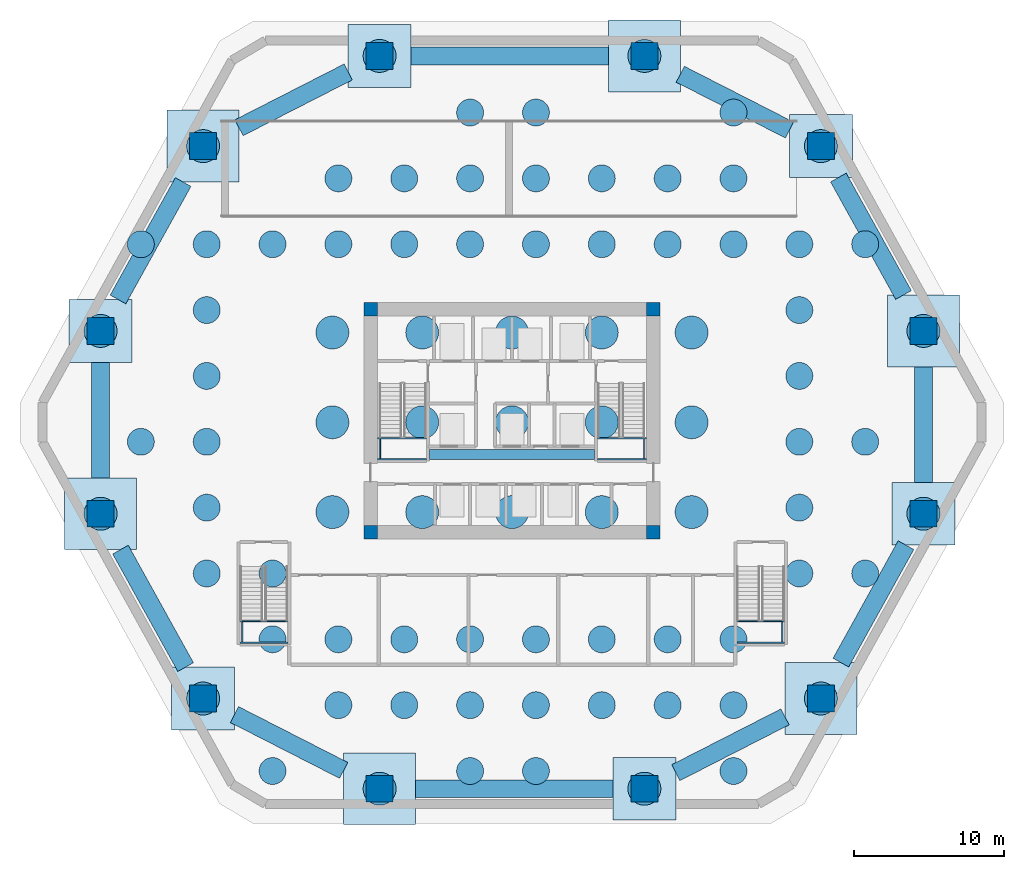
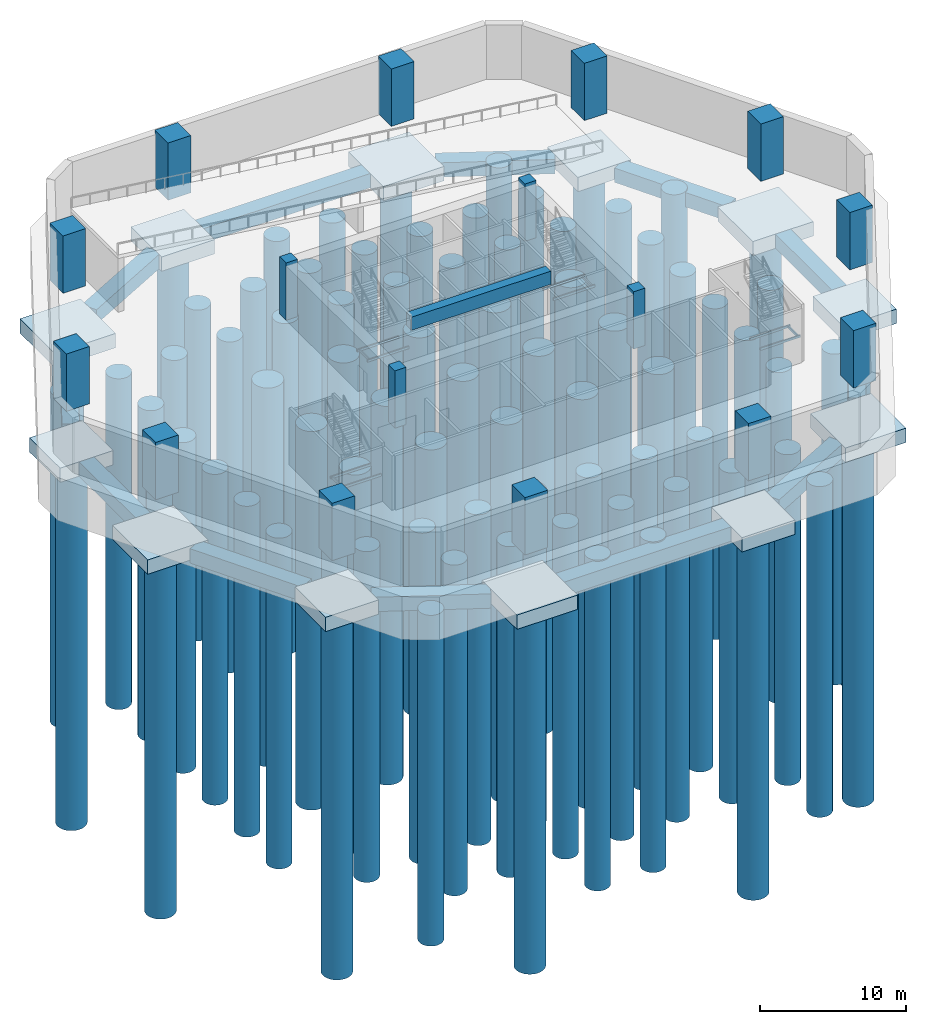
# One storey, part 1 of 9: 82 piles, 24 footings, 16 columns, 13 beams.
"""IFC4 building model written with IfcOpenShell, lengths in metres."""

from ifc_helpers import new_model, si_unit, direction, frame, origin, origin_2d, place, context, subcontext, project, spatial, rectangle, hollow_rectangle, circle, extrude, material, material_profile, profile_set, type_object, element, save


model = new_model("IFC4")

# Units and contexts
model_context = context("Model", 3, precision=1e-05, world=origin(), true_north=direction((0.0, 1.0)))
body_context = subcontext(model_context, "Body", "Model", "MODEL_VIEW")
ifc_project = project(units=[si_unit("LENGTHUNIT", "METRE"), si_unit("AREAUNIT", "SQUARE_METRE"), si_unit("VOLUMEUNIT", "CUBIC_METRE"), si_unit("PLANEANGLEUNIT", "RADIAN"), si_unit("MASSUNIT", "GRAM", prefix="KILO")], contexts=[model_context])

# Site, building, storey
site_placement = place(None, origin())
site = spatial("IfcSite", under=ifc_project, at=site_placement, CompositionType="ELEMENT")
building_placement = place(site_placement, origin())
building = spatial("IfcBuilding", under=site, at=building_placement, Name="Cinnabar Lancet Tower", CompositionType="ELEMENT")
storey_placement = place(building_placement, frame((0.0, 0.0, -4.800048828125)))
storey = spatial("IfcBuildingStorey", under=building, at=storey_placement, Name="B1", CompositionType="ELEMENT", Elevation=-4.800048828125)

# Footings
ifc_material_1 = material(Name="Concrete C60/75", Category="concrete")
ifc_material_profile_1 = material_profile(ifc_material_1, rectangle(XDim=1.199951171875, YDim=1.199951171875, at=origin_2d()), Name="RC-FB 1200x1200")
ifc_profile_set_1 = profile_set([ifc_material_profile_1], Name="Concrete C60/75")
footing_type_1 = type_object("IfcFootingType", Name="STR-FTG-FB-1200", PredefinedType="FOOTING_BEAM", material=ifc_profile_set_1)
footing_1_placement = place(storey_placement, frame((25.955078125, 1.31689453125, -4.199951171875), z_axis=(1.0, 0.0, 0.0), x_axis=(0.0, 1.0, 0.0)))
element("IfcFooting", 1, at=footing_1_placement, inside=storey, type_object=footing_type_1, Name="Perimeter Foundation Tie Beam 1", PredefinedType="FOOTING_BEAM", context=body_context, shape_type="SweptSolid", body=[
    extrude(rectangle(XDim=1.199951171875, YDim=1.199951171875, at=origin_2d()), origin(), (0.0, 0.0, 1.0), 13.18994140625),
])
footing_2_placement = place(storey_placement, frame((43.344970703125, 2.389892578125, -4.199951171875), z_axis=(0.890539020209, 0.454906862429, 0.0), x_axis=(-0.454906862429, 0.890539020209, 0.0)))
element("IfcFooting", 2, at=footing_2_placement, inside=storey, type_object=footing_type_1, Name="Perimeter Foundation Tie Beam 2", PredefinedType="FOOTING_BEAM", context=body_context, shape_type="SweptSolid", body=[
    extrude(rectangle(XDim=1.199951171875, YDim=1.199951171875, at=origin_2d()), origin(), (0.0, 0.0, 1.0), 8.195068359375),
])
footing_3_placement = place(storey_placement, frame((54.3740234375, 9.743896484375, -4.199951171875), z_axis=(0.484959060667, 0.87453685427, 0.0), x_axis=(-0.87453685427, 0.484959060667, 0.0)))
element("IfcFooting", 3, at=footing_3_placement, inside=storey, type_object=footing_type_1, Name="Perimeter Foundation Tie Beam 3", PredefinedType="FOOTING_BEAM", context=body_context, shape_type="SweptSolid", body=[
    extrude(rectangle(XDim=1.199951171875, YDim=1.199951171875, at=origin_2d()), origin(), (0.0, 0.0, 1.0), 8.97412109375),
])
footing_4_placement = place(storey_placement, frame((59.89111328125, 21.7919921875, -4.199951171875), z_axis=(0.0, 1.0, 0.0), x_axis=(-1.0, 0.0, 0.0)))
element("IfcFooting", 4, at=footing_4_placement, inside=storey, type_object=footing_type_1, Name="Perimeter Foundation Tie Beam 4", PredefinedType="FOOTING_BEAM", context=body_context, shape_type="SweptSolid", body=[
    extrude(rectangle(XDim=1.199951171875, YDim=1.199951171875, at=origin_2d()), origin(), (0.0, 0.0, 1.0), 7.716064453125),
])
footing_5_placement = place(storey_placement, frame((58.56005859375, 34.30810546875, -4.199951171875), z_axis=(-0.484970599002, 0.87453045579, 0.0), x_axis=(-0.87453045579, -0.484970599002, 0.0)))
element("IfcFooting", 5, at=footing_5_placement, inside=storey, type_object=footing_type_1, Name="Perimeter Foundation Tie Beam 5", PredefinedType="FOOTING_BEAM", context=body_context, shape_type="SweptSolid", body=[
    extrude(rectangle(XDim=1.199951171875, YDim=1.199951171875, at=origin_2d()), origin(), (0.0, 0.0, 1.0), 8.973876953125),
])
footing_6_placement = place(storey_placement, frame((50.943115234375, 45.3291015625, -4.199951171875), z_axis=(-0.890551088715, 0.454883235995, 0.0), x_axis=(-0.454883235995, -0.890551088715, 0.0)))
element("IfcFooting", 6, at=footing_6_placement, inside=storey, type_object=footing_type_1, Name="Perimeter Foundation Tie Beam 6", PredefinedType="FOOTING_BEAM", context=body_context, shape_type="SweptSolid", body=[
    extrude(rectangle(XDim=1.199951171875, YDim=1.199951171875, at=origin_2d()), origin(), (0.0, 0.0, 1.0), 8.195068359375),
])
footing_7_placement = place(storey_placement, frame((38.844970703125, 50.282958984375, -4.199951171875), z_axis=(-1.0, 0.0, 0.0), x_axis=(0.0, -1.0, 0.0)))
element("IfcFooting", 7, at=footing_7_placement, inside=storey, type_object=footing_type_1, Name="Perimeter Foundation Tie Beam 7", PredefinedType="FOOTING_BEAM", context=body_context, shape_type="SweptSolid", body=[
    extrude(rectangle(XDim=1.199951171875, YDim=1.199951171875, at=origin_2d()), origin(), (0.0, 0.0, 1.0), 13.18994140625),
])
footing_8_placement = place(storey_placement, frame((21.455078125, 49.2099609375, -4.199951171875), z_axis=(-0.890539020209, -0.454906862429, 0.0), x_axis=(0.454906862429, -0.890539020209, 0.0)))
element("IfcFooting", 8, at=footing_8_placement, inside=storey, type_object=footing_type_1, Name="Perimeter Foundation Tie Beam 8", PredefinedType="FOOTING_BEAM", context=body_context, shape_type="SweptSolid", body=[
    extrude(rectangle(XDim=1.199951171875, YDim=1.199951171875, at=origin_2d()), origin(), (0.0, 0.0, 1.0), 8.195068359375),
])
footing_9_placement = place(storey_placement, frame((10.426025390625, 41.85595703125, -4.199951171875), z_axis=(-0.484970599002, -0.87453045579, 0.0), x_axis=(0.87453045579, -0.484970599002, 0.0)))
element("IfcFooting", 9, at=footing_9_placement, inside=storey, type_object=footing_type_1, Name="Perimeter Foundation Tie Beam 9", PredefinedType="FOOTING_BEAM", context=body_context, shape_type="SweptSolid", body=[
    extrude(rectangle(XDim=1.199951171875, YDim=1.199951171875, at=origin_2d()), origin(), (0.0, 0.0, 1.0), 8.973876953125),
])
footing_10_placement = place(storey_placement, frame((4.908935546875, 29.80810546875, -4.199951171875), z_axis=(0.0, -1.0, 0.0), x_axis=(1.0, 0.0, 0.0)))
element("IfcFooting", 10, at=footing_10_placement, inside=storey, type_object=footing_type_1, Name="Perimeter Foundation Tie Beam 10", PredefinedType="FOOTING_BEAM", context=body_context, shape_type="SweptSolid", body=[
    extrude(rectangle(XDim=1.199951171875, YDim=1.199951171875, at=origin_2d()), origin(), (0.0, 0.0, 1.0), 7.716064453125),
])
footing_11_placement = place(storey_placement, frame((6.239990234375, 17.2919921875, -4.199951171875), z_axis=(0.484970599002, -0.87453045579, 0.0), x_axis=(0.87453045579, 0.484970599002, 0.0)))
element("IfcFooting", 11, at=footing_11_placement, inside=storey, type_object=footing_type_1, Name="Perimeter Foundation Tie Beam 11", PredefinedType="FOOTING_BEAM", context=body_context, shape_type="SweptSolid", body=[
    extrude(rectangle(XDim=1.199951171875, YDim=1.199951171875, at=origin_2d()), origin(), (0.0, 0.0, 1.0), 8.973876953125),
])
footing_12_placement = place(storey_placement, frame((13.85693359375, 6.27099609375, -4.199951171875), z_axis=(0.890539020209, -0.454906862429, 0.0), x_axis=(0.454906862429, 0.890539020209, 0.0)))
element("IfcFooting", 12, at=footing_12_placement, inside=storey, type_object=footing_type_1, Name="Perimeter Foundation Tie Beam 12", PredefinedType="FOOTING_BEAM", context=body_context, shape_type="SweptSolid", body=[
    extrude(rectangle(XDim=1.199951171875, YDim=1.199951171875, at=origin_2d()), origin(), (0.0, 0.0, 1.0), 8.195068359375),
])
ifc_material_2 = material(Name="Concrete C60/75", Category="concrete")
footing_type_2 = type_object("IfcFootingType", Name="STR-FTG-PC-4200", PredefinedType="PILE_CAP", material=ifc_material_2)
for number, where, z_axis, x_axis, name in (
    (13, (41.2451171875, 1.31689453125, -4.7998046875), (0.0, 0.0, 1.0), (1.0, 0.0, 0.0), "Pilotis Mega-Column Pile Cap 2"),
    (14, (59.89111328125, 19.69189453125, -4.7998046875), (0.0, 0.0, 1.0), (1.0, 0.0, 0.0), "Pilotis Mega-Column Pile Cap 4"),
    (15, (53.04296875, 44.256103515625, -4.7998046875), (0.0, 0.0, 1.0), (1.0, 0.0, 0.0), "Pilotis Mega-Column Pile Cap 6"),
    (16, (23.554931640625, 50.282958984375, -4.7998046875), (0.0, 0.0, 1.0), (1.0, 0.0, 0.0), "Pilotis Mega-Column Pile Cap 8"),
    (17, (4.908935546875, 31.907958984375, -4.7998046875), (0.0, 0.0, 1.0), (1.0, 0.0, 0.0), "Pilotis Mega-Column Pile Cap 10"),
    (18, (11.757080078125, 7.343994140625, -4.7998046875), (0.0, 0.0, 1.0), (1.0, 0.0, 0.0), "Pilotis Mega-Column Pile Cap 12"),
):
    element("IfcFooting", number, at=place(storey_placement, frame(where, z_axis=z_axis, x_axis=x_axis)), inside=storey, type_object=footing_type_2, Name=name, PredefinedType="PILE_CAP", context=body_context, shape_type="SweptSolid", body=[
        extrude(rectangle(XDim=4.199951171875, YDim=4.199951171875, at=origin_2d()), origin(), (0.0, 0.0, 1.0), 1.199951171875),
    ])
ifc_material_3 = material(Name="Concrete C60/75", Category="concrete")
footing_type_3 = type_object("IfcFootingType", Name="STR-FTG-PC-4800", PredefinedType="PILE_CAP", material=ifc_material_3)
for number, where, z_axis, x_axis, name in (
    (19, (23.554931640625, 1.31689453125, -4.7998046875), (0.0, 0.0, 1.0), (1.0, 0.0, 0.0), "Pilotis Mega-Column Pile Cap 1"),
    (20, (53.04296875, 7.343994140625, -4.7998046875), (0.0, 0.0, 1.0), (1.0, 0.0, 0.0), "Pilotis Mega-Column Pile Cap 3"),
    (21, (59.89111328125, 31.907958984375, -4.7998046875), (0.0, 0.0, 1.0), (1.0, 0.0, 0.0), "Pilotis Mega-Column Pile Cap 5"),
    (22, (41.2451171875, 50.282958984375, -4.7998046875), (0.0, 0.0, 1.0), (1.0, 0.0, 0.0), "Pilotis Mega-Column Pile Cap 7"),
    (23, (11.757080078125, 44.256103515625, -4.7998046875), (0.0, 0.0, 1.0), (1.0, 0.0, 0.0), "Pilotis Mega-Column Pile Cap 9"),
    (24, (4.908935546875, 19.69189453125, -4.7998046875), (0.0, 0.0, 1.0), (1.0, 0.0, 0.0), "Pilotis Mega-Column Pile Cap 11"),
):
    element("IfcFooting", number, at=place(storey_placement, frame(where, z_axis=z_axis, x_axis=x_axis)), inside=storey, type_object=footing_type_3, Name=name, PredefinedType="PILE_CAP", context=body_context, shape_type="SweptSolid", body=[
        extrude(rectangle(XDim=4.800048828125, YDim=4.800048828125, at=origin_2d()), origin(), (0.0, 0.0, 1.0), 1.199951171875),
    ])

# Piles
ifc_material_4 = material(Name="Concrete C50/60", Category="concrete")
ifc_material_profile_2 = material_profile(ifc_material_4, circle(Radius=0.89990234375, at=origin_2d()), Name="PILE D1800")
ifc_profile_set_2 = profile_set([ifc_material_profile_2], Name="Concrete C50/60")
pile_type_1 = type_object("IfcPileType", Name="STR-PIL-D1800", PredefinedType="BORED", material=ifc_profile_set_2)
for number, where, z_axis, x_axis, name in (
    (25, (7.60009765625, 24.5, -3.5), (0.0, 0.0, -1.0), (1.0, 0.0, 0.0), "Podium Mat Bored Pile P-1800 #1"),
    (26, (7.60009765625, 37.699951171875, -3.5), (0.0, 0.0, -1.0), (1.0, 0.0, 0.0), "Podium Mat Bored Pile P-1800 #2"),
    (27, (12.0, 15.699951171875, -3.5), (0.0, 0.0, -1.0), (1.0, 0.0, 0.0), "Podium Mat Bored Pile P-1800 #3"),
    (28, (12.0, 20.10009765625, -3.5), (0.0, 0.0, -1.0), (1.0, 0.0, 0.0), "Podium Mat Bored Pile P-1800 #4"),
    (29, (12.0, 24.5, -3.5), (0.0, 0.0, -1.0), (1.0, 0.0, 0.0), "Podium Mat Bored Pile P-1800 #5"),
    (30, (12.0, 28.89990234375, -3.5), (0.0, 0.0, -1.0), (1.0, 0.0, 0.0), "Podium Mat Bored Pile P-1800 #6"),
    (31, (12.0, 33.300048828125, -3.5), (0.0, 0.0, -1.0), (1.0, 0.0, 0.0), "Podium Mat Bored Pile P-1800 #7"),
    (32, (12.0, 37.699951171875, -3.5), (0.0, 0.0, -1.0), (1.0, 0.0, 0.0), "Podium Mat Bored Pile P-1800 #8"),
    (33, (16.39990234375, 2.5, -3.5), (0.0, 0.0, -1.0), (1.0, 0.0, 0.0), "Podium Mat Bored Pile P-1800 #9"),
    (34, (16.39990234375, 11.300048828125, -3.5), (0.0, 0.0, -1.0), (1.0, 0.0, 0.0), "Podium Mat Bored Pile P-1800 #10"),
    (35, (16.39990234375, 15.699951171875, -3.5), (0.0, 0.0, -1.0), (1.0, 0.0, 0.0), "Podium Mat Bored Pile P-1800 #11"),
    (36, (16.39990234375, 37.699951171875, -3.5), (0.0, 0.0, -1.0), (1.0, 0.0, 0.0), "Podium Mat Bored Pile P-1800 #12"),
    (37, (20.800048828125, 6.89990234375, -3.5), (0.0, 0.0, -1.0), (1.0, 0.0, 0.0), "Podium Mat Bored Pile P-1800 #13"),
    (38, (20.800048828125, 11.300048828125, -3.5), (0.0, 0.0, -1.0), (1.0, 0.0, 0.0), "Podium Mat Bored Pile P-1800 #14"),
    (39, (20.800048828125, 37.699951171875, -3.5), (0.0, 0.0, -1.0), (1.0, 0.0, 0.0), "Podium Mat Bored Pile P-1800 #15"),
    (40, (20.800048828125, 42.10009765625, -3.5), (0.0, 0.0, -1.0), (1.0, 0.0, 0.0), "Podium Mat Bored Pile P-1800 #16"),
    (41, (25.199951171875, 6.89990234375, -3.5), (0.0, 0.0, -1.0), (1.0, 0.0, 0.0), "Podium Mat Bored Pile P-1800 #17"),
    (42, (25.199951171875, 11.300048828125, -3.5), (0.0, 0.0, -1.0), (1.0, 0.0, 0.0), "Podium Mat Bored Pile P-1800 #18"),
    (43, (25.199951171875, 37.699951171875, -3.5), (0.0, 0.0, -1.0), (1.0, 0.0, 0.0), "Podium Mat Bored Pile P-1800 #19"),
    (44, (25.199951171875, 42.10009765625, -3.5), (0.0, 0.0, -1.0), (1.0, 0.0, 0.0), "Podium Mat Bored Pile P-1800 #20"),
    (45, (29.60009765625, 2.5, -3.5), (0.0, 0.0, -1.0), (1.0, 0.0, 0.0), "Podium Mat Bored Pile P-1800 #21"),
    (46, (29.60009765625, 6.89990234375, -3.5), (0.0, 0.0, -1.0), (1.0, 0.0, 0.0), "Podium Mat Bored Pile P-1800 #22"),
    (47, (29.60009765625, 11.300048828125, -3.5), (0.0, 0.0, -1.0), (1.0, 0.0, 0.0), "Podium Mat Bored Pile P-1800 #23"),
    (48, (29.60009765625, 37.699951171875, -3.5), (0.0, 0.0, -1.0), (1.0, 0.0, 0.0), "Podium Mat Bored Pile P-1800 #24"),
    (49, (29.60009765625, 42.10009765625, -3.5), (0.0, 0.0, -1.0), (1.0, 0.0, 0.0), "Podium Mat Bored Pile P-1800 #25"),
    (50, (29.60009765625, 46.5, -3.5), (0.0, 0.0, -1.0), (1.0, 0.0, 0.0), "Podium Mat Bored Pile P-1800 #26"),
    (51, (34.0, 2.5, -3.5), (0.0, 0.0, -1.0), (1.0, 0.0, 0.0), "Podium Mat Bored Pile P-1800 #27"),
    (52, (34.0, 6.89990234375, -3.5), (0.0, 0.0, -1.0), (1.0, 0.0, 0.0), "Podium Mat Bored Pile P-1800 #28"),
    (53, (34.0, 11.300048828125, -3.5), (0.0, 0.0, -1.0), (1.0, 0.0, 0.0), "Podium Mat Bored Pile P-1800 #29"),
    (54, (34.0, 37.699951171875, -3.5), (0.0, 0.0, -1.0), (1.0, 0.0, 0.0), "Podium Mat Bored Pile P-1800 #30"),
    (55, (34.0, 42.10009765625, -3.5), (0.0, 0.0, -1.0), (1.0, 0.0, 0.0), "Podium Mat Bored Pile P-1800 #31"),
    (56, (34.0, 46.5, -3.5), (0.0, 0.0, -1.0), (1.0, 0.0, 0.0), "Podium Mat Bored Pile P-1800 #32"),
    (57, (38.39990234375, 6.89990234375, -3.5), (0.0, 0.0, -1.0), (1.0, 0.0, 0.0), "Podium Mat Bored Pile P-1800 #33"),
    (58, (38.39990234375, 11.300048828125, -3.5), (0.0, 0.0, -1.0), (1.0, 0.0, 0.0), "Podium Mat Bored Pile P-1800 #34"),
    (59, (38.39990234375, 37.699951171875, -3.5), (0.0, 0.0, -1.0), (1.0, 0.0, 0.0), "Podium Mat Bored Pile P-1800 #35"),
    (60, (38.39990234375, 42.10009765625, -3.5), (0.0, 0.0, -1.0), (1.0, 0.0, 0.0), "Podium Mat Bored Pile P-1800 #36"),
    (61, (42.800048828125, 6.89990234375, -3.5), (0.0, 0.0, -1.0), (1.0, 0.0, 0.0), "Podium Mat Bored Pile P-1800 #37"),
    (62, (42.800048828125, 11.300048828125, -3.5), (0.0, 0.0, -1.0), (1.0, 0.0, 0.0), "Podium Mat Bored Pile P-1800 #38"),
    (63, (42.800048828125, 37.699951171875, -3.5), (0.0, 0.0, -1.0), (1.0, 0.0, 0.0), "Podium Mat Bored Pile P-1800 #39"),
    (64, (42.800048828125, 42.10009765625, -3.5), (0.0, 0.0, -1.0), (1.0, 0.0, 0.0), "Podium Mat Bored Pile P-1800 #40"),
    (65, (47.199951171875, 2.5, -3.5), (0.0, 0.0, -1.0), (1.0, 0.0, 0.0), "Podium Mat Bored Pile P-1800 #41"),
    (66, (47.199951171875, 6.89990234375, -3.5), (0.0, 0.0, -1.0), (1.0, 0.0, 0.0), "Podium Mat Bored Pile P-1800 #42"),
    (67, (47.199951171875, 11.300048828125, -3.5), (0.0, 0.0, -1.0), (1.0, 0.0, 0.0), "Podium Mat Bored Pile P-1800 #43"),
    (68, (47.199951171875, 37.699951171875, -3.5), (0.0, 0.0, -1.0), (1.0, 0.0, 0.0), "Podium Mat Bored Pile P-1800 #44"),
    (69, (47.199951171875, 42.10009765625, -3.5), (0.0, 0.0, -1.0), (1.0, 0.0, 0.0), "Podium Mat Bored Pile P-1800 #45"),
    (70, (47.199951171875, 46.5, -3.5), (0.0, 0.0, -1.0), (1.0, 0.0, 0.0), "Podium Mat Bored Pile P-1800 #46"),
    (71, (51.60009765625, 15.699951171875, -3.5), (0.0, 0.0, -1.0), (1.0, 0.0, 0.0), "Podium Mat Bored Pile P-1800 #47"),
    (72, (51.60009765625, 20.10009765625, -3.5), (0.0, 0.0, -1.0), (1.0, 0.0, 0.0), "Podium Mat Bored Pile P-1800 #48"),
    (73, (51.60009765625, 24.5, -3.5), (0.0, 0.0, -1.0), (1.0, 0.0, 0.0), "Podium Mat Bored Pile P-1800 #49"),
    (74, (51.60009765625, 28.89990234375, -3.5), (0.0, 0.0, -1.0), (1.0, 0.0, 0.0), "Podium Mat Bored Pile P-1800 #50"),
    (75, (51.60009765625, 33.300048828125, -3.5), (0.0, 0.0, -1.0), (1.0, 0.0, 0.0), "Podium Mat Bored Pile P-1800 #51"),
    (76, (51.60009765625, 37.699951171875, -3.5), (0.0, 0.0, -1.0), (1.0, 0.0, 0.0), "Podium Mat Bored Pile P-1800 #52"),
    (77, (56.0, 15.699951171875, -3.5), (0.0, 0.0, -1.0), (1.0, 0.0, 0.0), "Podium Mat Bored Pile P-1800 #53"),
    (78, (56.0, 24.5, -3.5), (0.0, 0.0, -1.0), (1.0, 0.0, 0.0), "Podium Mat Bored Pile P-1800 #54"),
    (79, (56.0, 37.699951171875, -3.5), (0.0, 0.0, -1.0), (1.0, 0.0, 0.0), "Podium Mat Bored Pile P-1800 #55"),
):
    element("IfcPile", number, at=place(storey_placement, frame(where, z_axis=z_axis, x_axis=x_axis)), inside=storey, type_object=pile_type_1, Name=name, PredefinedType="BORED", context=body_context, shape_type="SweptSolid", body=[
        extrude(circle(Radius=0.89990234375, at=origin_2d()), origin(), (0.0, 0.0, 1.0), 27.699951171875),
    ])
ifc_material_5 = material(Name="Concrete C50/60", Category="concrete")
ifc_material_profile_3 = material_profile(ifc_material_5, circle(Radius=1.10009765625, at=origin_2d()), Name="PILE D2200")
ifc_profile_set_3 = profile_set([ifc_material_profile_3], Name="Concrete C50/60")
pile_type_2 = type_object("IfcPileType", Name="STR-PIL-D2200", PredefinedType="BORED", material=ifc_profile_set_3)
for number, where, z_axis, x_axis, name in (
    (80, (23.554931640625, 1.31689453125, -4.699951171875), (0.0, 0.0, -1.0), (1.0, 0.0, 0.0), "Rock-Socketed Bored Pile P-2200 #1"),
    (81, (41.2451171875, 1.31689453125, -4.699951171875), (0.0, 0.0, -1.0), (1.0, 0.0, 0.0), "Rock-Socketed Bored Pile P-2200 #2"),
    (82, (53.04296875, 7.343994140625, -4.699951171875), (0.0, 0.0, -1.0), (1.0, 0.0, 0.0), "Rock-Socketed Bored Pile P-2200 #3"),
    (83, (59.89111328125, 19.69189453125, -4.699951171875), (0.0, 0.0, -1.0), (1.0, 0.0, 0.0), "Rock-Socketed Bored Pile P-2200 #4"),
    (84, (59.89111328125, 31.907958984375, -4.699951171875), (0.0, 0.0, -1.0), (1.0, 0.0, 0.0), "Rock-Socketed Bored Pile P-2200 #5"),
    (85, (53.04296875, 44.256103515625, -4.699951171875), (0.0, 0.0, -1.0), (1.0, 0.0, 0.0), "Rock-Socketed Bored Pile P-2200 #6"),
    (86, (41.2451171875, 50.282958984375, -4.699951171875), (0.0, 0.0, -1.0), (1.0, 0.0, 0.0), "Rock-Socketed Bored Pile P-2200 #7"),
    (87, (23.554931640625, 50.282958984375, -4.699951171875), (0.0, 0.0, -1.0), (1.0, 0.0, 0.0), "Rock-Socketed Bored Pile P-2200 #8"),
    (88, (11.757080078125, 44.256103515625, -4.699951171875), (0.0, 0.0, -1.0), (1.0, 0.0, 0.0), "Rock-Socketed Bored Pile P-2200 #9"),
    (89, (4.908935546875, 31.907958984375, -4.699951171875), (0.0, 0.0, -1.0), (1.0, 0.0, 0.0), "Rock-Socketed Bored Pile P-2200 #10"),
    (90, (4.908935546875, 19.69189453125, -4.699951171875), (0.0, 0.0, -1.0), (1.0, 0.0, 0.0), "Rock-Socketed Bored Pile P-2200 #11"),
    (91, (11.757080078125, 7.343994140625, -4.699951171875), (0.0, 0.0, -1.0), (1.0, 0.0, 0.0), "Rock-Socketed Bored Pile P-2200 #12"),
):
    element("IfcPile", number, at=place(storey_placement, frame(where, z_axis=z_axis, x_axis=x_axis)), inside=storey, type_object=pile_type_2, Name=name, PredefinedType="BORED", context=body_context, shape_type="SweptSolid", body=[
        extrude(circle(Radius=1.10009765625, at=origin_2d()), origin(), (0.0, 0.0, 1.0), 30.5),
    ])
for number, where, z_axis, x_axis, name in (
    (92, (20.39990234375, 19.800048828125, -3.5), (0.0, 0.0, -1.0), (1.0, 0.0, 0.0), "Core Bored Pile P-2200 #13"),
    (93, (20.39990234375, 25.800048828125, -3.5), (0.0, 0.0, -1.0), (1.0, 0.0, 0.0), "Core Bored Pile P-2200 #14"),
    (94, (20.39990234375, 31.800048828125, -3.5), (0.0, 0.0, -1.0), (1.0, 0.0, 0.0), "Core Bored Pile P-2200 #15"),
    (95, (26.39990234375, 19.800048828125, -3.5), (0.0, 0.0, -1.0), (1.0, 0.0, 0.0), "Core Bored Pile P-2200 #16"),
    (96, (26.39990234375, 25.800048828125, -3.5), (0.0, 0.0, -1.0), (1.0, 0.0, 0.0), "Core Bored Pile P-2200 #17"),
    (97, (26.39990234375, 31.800048828125, -3.5), (0.0, 0.0, -1.0), (1.0, 0.0, 0.0), "Core Bored Pile P-2200 #18"),
    (98, (32.39990234375, 19.800048828125, -3.5), (0.0, 0.0, -1.0), (1.0, 0.0, 0.0), "Core Bored Pile P-2200 #19"),
    (99, (32.39990234375, 25.800048828125, -3.5), (0.0, 0.0, -1.0), (1.0, 0.0, 0.0), "Core Bored Pile P-2200 #20"),
    (100, (32.39990234375, 31.800048828125, -3.5), (0.0, 0.0, -1.0), (1.0, 0.0, 0.0), "Core Bored Pile P-2200 #21"),
    (101, (38.39990234375, 19.800048828125, -3.5), (0.0, 0.0, -1.0), (1.0, 0.0, 0.0), "Core Bored Pile P-2200 #22"),
    (102, (38.39990234375, 25.800048828125, -3.5), (0.0, 0.0, -1.0), (1.0, 0.0, 0.0), "Core Bored Pile P-2200 #23"),
    (103, (38.39990234375, 31.800048828125, -3.5), (0.0, 0.0, -1.0), (1.0, 0.0, 0.0), "Core Bored Pile P-2200 #24"),
    (104, (44.39990234375, 19.800048828125, -3.5), (0.0, 0.0, -1.0), (1.0, 0.0, 0.0), "Core Bored Pile P-2200 #25"),
    (105, (44.39990234375, 25.800048828125, -3.5), (0.0, 0.0, -1.0), (1.0, 0.0, 0.0), "Core Bored Pile P-2200 #26"),
    (106, (44.39990234375, 31.800048828125, -3.5), (0.0, 0.0, -1.0), (1.0, 0.0, 0.0), "Core Bored Pile P-2200 #27"),
):
    element("IfcPile", number, at=place(storey_placement, frame(where, z_axis=z_axis, x_axis=x_axis)), inside=storey, type_object=pile_type_2, Name=name, PredefinedType="BORED", context=body_context, shape_type="SweptSolid", body=[
        extrude(circle(Radius=1.10009765625, at=origin_2d()), origin(), (0.0, 0.0, 1.0), 31.699951171875),
    ])

# Columns
ifc_material_6 = material(Name="Concrete C80/95", Category="concrete")
ifc_material_profile_4 = material_profile(ifc_material_6, rectangle(XDim=0.89990234375, YDim=0.89990234375, at=origin_2d()), Name="RC-COL 900x900")
ifc_profile_set_4 = profile_set([ifc_material_profile_4], Name="Concrete C80/95")
column_type_1 = type_object("IfcColumnType", Name="STR-COL-CORE-900", PredefinedType="COLUMN", material=ifc_profile_set_4)
for number, where, z_axis, x_axis, name in (
    (107, (22.949951171875, 18.449951171875, 0.0), (0.0, 0.0, 1.0), (1.0, 0.0, 0.0), "B1 Core Corner Column SW"),
    (108, (41.85009765625, 18.449951171875, 0.0), (0.0, 0.0, 1.0), (1.0, 0.0, 0.0), "B1 Core Corner Column SE"),
    (109, (41.85009765625, 33.35009765625, 0.0), (0.0, 0.0, 1.0), (1.0, 0.0, 0.0), "B1 Core Corner Column NE"),
    (110, (22.949951171875, 33.35009765625, 0.0), (0.0, 0.0, 1.0), (1.0, 0.0, 0.0), "B1 Core Corner Column NW"),
):
    element("IfcColumn", number, at=place(storey_placement, frame(where, z_axis=z_axis, x_axis=x_axis)), inside=storey, type_object=column_type_1, Name=name, PredefinedType="COLUMN", context=body_context, shape_type="SweptSolid", body=[
        extrude(rectangle(XDim=0.89990234375, YDim=0.89990234375, at=origin_2d()), origin(), (0.0, 0.0, 1.0), 4.800048828125),
    ])
ifc_material_7 = material(Name="Concrete C80/95", Category="concrete")
ifc_material_profile_5 = material_profile(ifc_material_7, rectangle(XDim=1.800048828125, YDim=1.800048828125, at=origin_2d()), Name="RC-MEGA 1800x1800")
ifc_profile_set_5 = profile_set([ifc_material_profile_5], Name="Concrete C80/95")
column_type_2 = type_object("IfcColumnType", Name="STR-COL-MEGA-B1", PredefinedType="COLUMN", material=ifc_profile_set_5)
for number, where, z_axis, x_axis, name in (
    (111, (23.554931640625, 1.31689453125, 0.0), (0.0, 0.0, 1.0), (1.0, 0.0, 0.0), "B1 Y-Pilotis Mega-Column 1"),
    (112, (41.2451171875, 1.31689453125, 0.0), (0.0, 0.0, 1.0), (1.0, 0.0, 0.0), "B1 Y-Pilotis Mega-Column 2"),
    (113, (53.04296875, 7.343994140625, 0.0), (0.0, 0.0, 1.0), (1.0, 0.0, 0.0), "B1 Y-Pilotis Mega-Column 3"),
    (114, (59.89111328125, 19.69189453125, 0.0), (0.0, 0.0, 1.0), (1.0, 0.0, 0.0), "B1 Y-Pilotis Mega-Column 4"),
    (115, (59.89111328125, 31.907958984375, 0.0), (0.0, 0.0, 1.0), (1.0, 0.0, 0.0), "B1 Y-Pilotis Mega-Column 5"),
    (116, (53.04296875, 44.256103515625, 0.0), (0.0, 0.0, 1.0), (1.0, 0.0, 0.0), "B1 Y-Pilotis Mega-Column 6"),
    (117, (41.2451171875, 50.282958984375, 0.0), (0.0, 0.0, 1.0), (1.0, 0.0, 0.0), "B1 Y-Pilotis Mega-Column 7"),
    (118, (23.554931640625, 50.282958984375, 0.0), (0.0, 0.0, 1.0), (1.0, 0.0, 0.0), "B1 Y-Pilotis Mega-Column 8"),
    (119, (11.757080078125, 44.256103515625, 0.0), (0.0, 0.0, 1.0), (1.0, 0.0, 0.0), "B1 Y-Pilotis Mega-Column 9"),
    (120, (4.908935546875, 31.907958984375, 0.0), (0.0, 0.0, 1.0), (1.0, 0.0, 0.0), "B1 Y-Pilotis Mega-Column 10"),
    (121, (4.908935546875, 19.69189453125, 0.0), (0.0, 0.0, 1.0), (1.0, 0.0, 0.0), "B1 Y-Pilotis Mega-Column 11"),
    (122, (11.757080078125, 7.343994140625, 0.0), (0.0, 0.0, 1.0), (1.0, 0.0, 0.0), "B1 Y-Pilotis Mega-Column 12"),
):
    element("IfcColumn", number, at=place(storey_placement, frame(where, z_axis=z_axis, x_axis=x_axis)), inside=storey, type_object=column_type_2, Name=name, PredefinedType="COLUMN", context=body_context, shape_type="SweptSolid", body=[
        extrude(rectangle(XDim=1.800048828125, YDim=1.800048828125, at=origin_2d()), origin(), (0.0, 0.0, 1.0), 4.800048828125),
    ])

# Beams
ifc_material_8 = material(Name="Concrete C70/85", Category="concrete")
ifc_material_profile_6 = material_profile(ifc_material_8, rectangle(XDim=0.699951171875, YDim=1.10009765625, at=origin_2d()), Name="RC-CB 700x1100")
ifc_profile_set_6 = profile_set([ifc_material_profile_6], Name="Concrete C70/85")
beam_type_1 = type_object("IfcBeamType", Name="STR-BM-CB-1100", PredefinedType="BEAM", material=ifc_profile_set_6)
beam_1_placement = place(storey_placement, frame((26.8798828125, 23.64990234375, 4.0), z_axis=(1.0, 0.0, 0.0), x_axis=(0.0, 1.0, 0.0)))
element("IfcBeam", 123, at=beam_1_placement, inside=storey, type_object=beam_type_1, Name="B1 Core Coupling Beam", PredefinedType="BEAM", context=body_context, shape_type="SweptSolid", body=[
    extrude(rectangle(XDim=0.699951171875, YDim=1.10009765625, at=origin_2d()), origin(), (0.0, 0.0, 1.0), 11.0400390625),
])
ifc_material_9 = material(Name="Structural steel S355", Category="steel")
ifc_material_profile_7 = material_profile(ifc_material_9, hollow_rectangle(XDim=0.10009765625, YDim=0.199951171875, WallThickness=0.008056640625, InnerFilletRadius=0.00390625, OuterFilletRadius=0.011962890625, at=origin_2d()), Name="RHS 200x100x8")
ifc_profile_set_7 = profile_set([ifc_material_profile_7], Name="Structural steel S355")
beam_type_2 = type_object("IfcBeamType", Name="STR-BM-LND-203", PredefinedType="BEAM", material=ifc_profile_set_7)
for number, where, z_axis, x_axis, name in (
    (124, (23.39990234375, 23.330078125, 2.10009765625), (1.0, 0.0, 0.0), (0.0, 1.0, 0.0), "B1 ST-1-B1 Landing Support Beam S"),
    (125, (23.39990234375, 24.7451171875, 2.10009765625), (1.0, 0.0, 0.0), (0.0, 1.0, 0.0), "B1 ST-1-B1 Landing Support Beam N"),
):
    element("IfcBeam", number, at=place(storey_placement, frame(where, z_axis=z_axis, x_axis=x_axis)), inside=storey, type_object=beam_type_2, Name=name, PredefinedType="BEAM", context=body_context, shape_type="SweptSolid", body=[
        extrude(hollow_rectangle(XDim=0.10009765625, YDim=0.199951171875, WallThickness=0.008056640625, InnerFilletRadius=0.00390625, OuterFilletRadius=0.011962890625, at=origin_2d()), origin(), (0.0, 0.0, 1.0), 3.280029296875),
    ])
beam_2_placement = place(storey_placement, frame((23.580078125, 23.3798828125, 2.10009765625), z_axis=(0.0, 1.0, 0.0), x_axis=(-1.0, 0.0, 0.0)))
element("IfcBeam", 126, at=beam_2_placement, inside=storey, type_object=beam_type_2, Name="B1 ST-1-B1 Landing Side Trimmer Beam", PredefinedType="BEAM", context=body_context, shape_type="SweptSolid", body=[
    extrude(hollow_rectangle(XDim=0.10009765625, YDim=0.199951171875, WallThickness=0.008056640625, InnerFilletRadius=0.00390625, OuterFilletRadius=0.011962890625, at=origin_2d()), origin(), (0.0, 0.0, 1.0), 1.315185546875),
])
for number, where, z_axis, x_axis, name in (
    (127, (38.1201171875, 23.330078125, 2.10009765625), (1.0, 0.0, 0.0), (0.0, 1.0, 0.0), "B1 ST-2-B1 Landing Support Beam S"),
    (128, (38.1201171875, 24.7451171875, 2.10009765625), (1.0, 0.0, 0.0), (0.0, 1.0, 0.0), "B1 ST-2-B1 Landing Support Beam N"),
):
    element("IfcBeam", number, at=place(storey_placement, frame(where, z_axis=z_axis, x_axis=x_axis)), inside=storey, type_object=beam_type_2, Name=name, PredefinedType="BEAM", context=body_context, shape_type="SweptSolid", body=[
        extrude(hollow_rectangle(XDim=0.10009765625, YDim=0.199951171875, WallThickness=0.008056640625, InnerFilletRadius=0.00390625, OuterFilletRadius=0.011962890625, at=origin_2d()), origin(), (0.0, 0.0, 1.0), 3.27978515625),
    ])
beam_3_placement = place(storey_placement, frame((41.219970703125, 23.3798828125, 2.10009765625), z_axis=(0.0, 1.0, 0.0), x_axis=(-1.0, 0.0, 0.0)))
element("IfcBeam", 129, at=beam_3_placement, inside=storey, type_object=beam_type_2, Name="B1 ST-2-B1 Landing Side Trimmer Beam", PredefinedType="BEAM", context=body_context, shape_type="SweptSolid", body=[
    extrude(hollow_rectangle(XDim=0.10009765625, YDim=0.199951171875, WallThickness=0.008056640625, InnerFilletRadius=0.00390625, OuterFilletRadius=0.011962890625, at=origin_2d()), origin(), (0.0, 0.0, 1.0), 1.315185546875),
])
for number, where, z_axis, x_axis, name in (
    (130, (14.219970703125, 11.080078125, 2.10009765625), (1.0, 0.0, 0.0), (0.0, 1.0, 0.0), "B1 ST-3-B1 Landing Support Beam S"),
    (131, (14.219970703125, 12.4951171875, 2.10009765625), (1.0, 0.0, 0.0), (0.0, 1.0, 0.0), "B1 ST-3-B1 Landing Support Beam N"),
):
    element("IfcBeam", number, at=place(storey_placement, frame(where, z_axis=z_axis, x_axis=x_axis)), inside=storey, type_object=beam_type_2, Name=name, PredefinedType="BEAM", context=body_context, shape_type="SweptSolid", body=[
        extrude(hollow_rectangle(XDim=0.10009765625, YDim=0.199951171875, WallThickness=0.008056640625, InnerFilletRadius=0.00390625, OuterFilletRadius=0.011962890625, at=origin_2d()), origin(), (0.0, 0.0, 1.0), 3.199951171875),
    ])
beam_4_placement = place(storey_placement, frame((14.3798828125, 11.1298828125, 2.10009765625), z_axis=(0.0, 1.0, 0.0), x_axis=(-1.0, 0.0, 0.0)))
element("IfcBeam", 132, at=beam_4_placement, inside=storey, type_object=beam_type_2, Name="B1 ST-3-B1 Landing Side Trimmer Beam", PredefinedType="BEAM", context=body_context, shape_type="SweptSolid", body=[
    extrude(hollow_rectangle(XDim=0.10009765625, YDim=0.199951171875, WallThickness=0.008056640625, InnerFilletRadius=0.00390625, OuterFilletRadius=0.011962890625, at=origin_2d()), origin(), (0.0, 0.0, 1.0), 1.315185546875),
])
for number, where, z_axis, x_axis, name in (
    (133, (47.419921875, 11.080078125, 2.10009765625), (1.0, 0.0, 0.0), (0.0, 1.0, 0.0), "B1 ST-4-B1 Landing Support Beam S"),
    (134, (47.419921875, 12.4951171875, 2.10009765625), (1.0, 0.0, 0.0), (0.0, 1.0, 0.0), "B1 ST-4-B1 Landing Support Beam N"),
):
    element("IfcBeam", number, at=place(storey_placement, frame(where, z_axis=z_axis, x_axis=x_axis)), inside=storey, type_object=beam_type_2, Name=name, PredefinedType="BEAM", context=body_context, shape_type="SweptSolid", body=[
        extrude(hollow_rectangle(XDim=0.10009765625, YDim=0.199951171875, WallThickness=0.008056640625, InnerFilletRadius=0.00390625, OuterFilletRadius=0.011962890625, at=origin_2d()), origin(), (0.0, 0.0, 1.0), 3.2001953125),
    ])
beam_5_placement = place(storey_placement, frame((50.4599609375, 11.1298828125, 2.10009765625), z_axis=(0.0, 1.0, 0.0), x_axis=(-1.0, 0.0, 0.0)))
element("IfcBeam", 135, at=beam_5_placement, inside=storey, type_object=beam_type_2, Name="B1 ST-4-B1 Landing Side Trimmer Beam", PredefinedType="BEAM", context=body_context, shape_type="SweptSolid", body=[
    extrude(hollow_rectangle(XDim=0.10009765625, YDim=0.199951171875, WallThickness=0.008056640625, InnerFilletRadius=0.00390625, OuterFilletRadius=0.011962890625, at=origin_2d()), origin(), (0.0, 0.0, 1.0), 1.315185546875),
])

save(model, "model.ifc")
